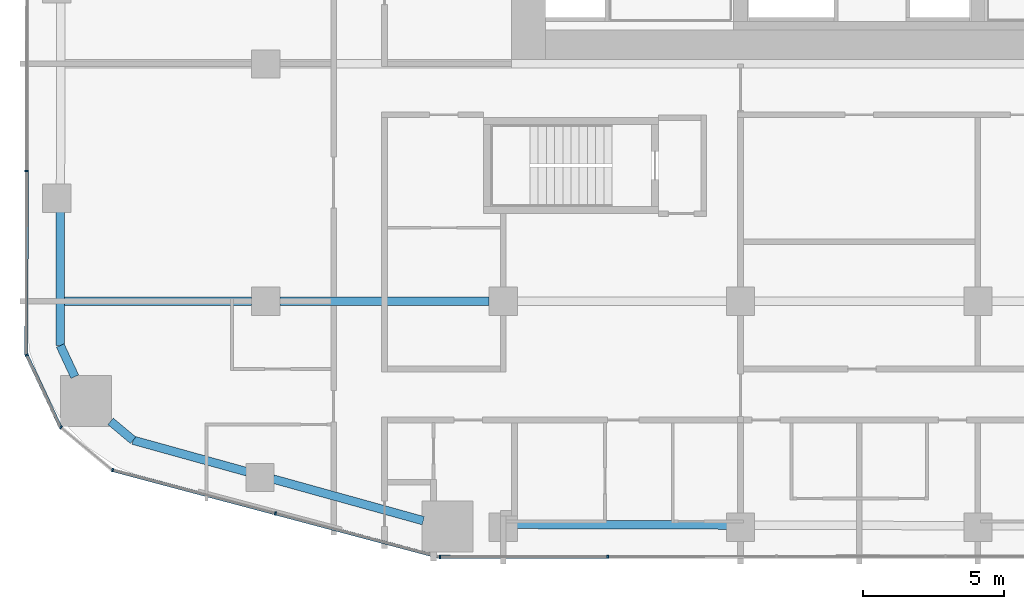
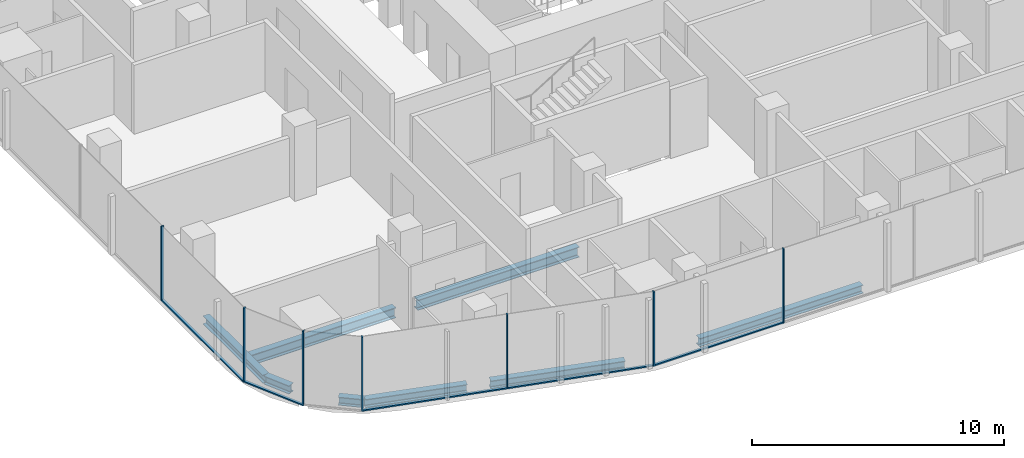
# One storey, part 2 of 26: 12 members, 8 beams, 5 elements without a shape of their own.
"""IFC4 building model written with IfcOpenShell, lengths in metres."""

from ifc_helpers import new_model, si_unit, direction, frame, origin, origin_2d, place, context, subcontext, project, spatial, rectangle, i_section, extrude, material, layer, layer_set, material_profile, profile_set, type_object, element, aggregate, save


model = new_model("IFC4")

# Units and contexts
model_context = context("Model", 3, precision=1e-05, world=origin(), true_north=direction((0.0, 1.0)))
body_context = subcontext(model_context, "Body", "Model", "MODEL_VIEW")
ifc_project = project(units=[si_unit("LENGTHUNIT", "METRE"), si_unit("AREAUNIT", "SQUARE_METRE"), si_unit("VOLUMEUNIT", "CUBIC_METRE"), si_unit("PLANEANGLEUNIT", "RADIAN"), si_unit("MASSUNIT", "GRAM", prefix="KILO")], contexts=[model_context])

# Site, building, storey
site_placement = place(None, origin())
site = spatial("IfcSite", under=ifc_project, at=site_placement, CompositionType="ELEMENT")
building_placement = place(site_placement, origin())
building = spatial("IfcBuilding", under=site, at=building_placement, Name="Marenta Gate Hotel Tower", CompositionType="ELEMENT")
storey_placement = place(building_placement, frame((0.0, 0.0, 79.699951171875)))
storey = spatial("IfcBuildingStorey", under=building, at=storey_placement, Name="L18", CompositionType="ELEMENT", Elevation=79.699951171875)

# Beams
ifc_material_1 = material(Name="Steel S355", Category="steel")
ifc_material_profile_1 = material_profile(ifc_material_1, i_section(OverallWidth=0.300048828125, OverallDepth=0.39990234375, WebThickness=0.013427734375, FlangeThickness=0.02392578125, FilletRadius=0.027099609375, at=origin_2d()), Name="HEB 400")
ifc_profile_set_1 = profile_set([ifc_material_profile_1], Name="Steel S355")
beam_type_1 = type_object("IfcBeamType", Name="Edge beam HEB 400", PredefinedType="SPANDREL", material=ifc_profile_set_1)
beam_1_placement = place(storey_placement, frame((-15.427734375, -16.166748046875, -0.4599609375), z_axis=(-0.963623684238, 0.267262782998, 0.0), x_axis=(-0.267262782998, -0.963623684238, 0.0)))
element("IfcBeam", 1, at=beam_1_placement, inside=storey, type_object=beam_type_1, Name="L18-EB-1", PredefinedType="SPANDREL", context=body_context, shape_type="SweptSolid", body=[
    extrude(i_section(OverallWidth=0.300048828125, OverallDepth=0.39990234375, WebThickness=0.013427734375, FlangeThickness=0.02392578125, FilletRadius=0.027099609375, at=origin_2d()), origin(), (0.0, 0.0, 1.0), 5.518310546875),
])
beam_2_placement = place(storey_placement, frame((-21.668212890625, -14.43603515625, -0.4599609375), z_axis=(-0.963617403201, 0.267285428426, 0.0), x_axis=(-0.267285428426, -0.963617403201, 0.0)))
element("IfcBeam", 2, at=beam_2_placement, inside=storey, type_object=beam_type_1, Name="L18-EB-2", PredefinedType="SPANDREL", context=body_context, shape_type="SweptSolid", body=[
    extrude(i_section(OverallWidth=0.300048828125, OverallDepth=0.39990234375, WebThickness=0.013427734375, FlangeThickness=0.02392578125, FilletRadius=0.027099609375, at=origin_2d()), origin(), (0.0, 0.0, 1.0), 4.1806640625),
])
beam_3_placement = place(storey_placement, frame((-25.69677734375, -13.318603515625, -0.4599609375), z_axis=(-0.767179911534, 0.641431978731, 0.0), x_axis=(-0.641431978731, -0.767179911534, 0.0)))
element("IfcBeam", 3, at=beam_3_placement, inside=storey, type_object=beam_type_1, Name="L18-EB-3", PredefinedType="SPANDREL", context=body_context, shape_type="SweptSolid", body=[
    extrude(i_section(OverallWidth=0.300048828125, OverallDepth=0.39990234375, WebThickness=0.013427734375, FlangeThickness=0.02392578125, FilletRadius=0.027099609375, at=origin_2d()), origin(), (0.0, 0.0, 1.0), 1.038818359375),
])
beam_4_placement = place(storey_placement, frame((-27.76025390625, -11.0693359375, -0.4599609375), z_axis=(-0.423291965192, 0.905993329006, 0.0), x_axis=(-0.905993329006, -0.423291965192, 0.0)))
element("IfcBeam", 4, at=beam_4_placement, inside=storey, type_object=beam_type_1, Name="L18-EB-4", PredefinedType="SPANDREL", context=body_context, shape_type="SweptSolid", body=[
    extrude(i_section(OverallWidth=0.300048828125, OverallDepth=0.39990234375, WebThickness=0.013427734375, FlangeThickness=0.02392578125, FilletRadius=0.027099609375, at=origin_2d()), origin(), (0.0, 0.0, 1.0), 1.21630859375),
])
beam_5_placement = place(storey_placement, frame((-28.275146484375, -9.96728515625, -0.4599609375), z_axis=(0.001386177947, 0.999999039255, 0.0), x_axis=(-0.999999039255, 0.001386177947, 0.0)))
element("IfcBeam", 5, at=beam_5_placement, inside=storey, type_object=beam_type_1, Name="L18-EB-5", PredefinedType="SPANDREL", context=body_context, shape_type="SweptSolid", body=[
    extrude(i_section(OverallWidth=0.300048828125, OverallDepth=0.39990234375, WebThickness=0.013427734375, FlangeThickness=0.02392578125, FilletRadius=0.027099609375, at=origin_2d()), origin(), (0.0, 0.0, 1.0), 4.75537109375),
])
beam_6_placement = place(storey_placement, frame((-4.659912109375, -16.31982421875, -0.4599609375), z_axis=(-0.999996151562, 0.002774321851, 0.0), x_axis=(-0.002774321851, -0.999996151562, 0.0)))
element("IfcBeam", 6, at=beam_6_placement, inside=storey, type_object=beam_type_1, Name="L18-EB-34", PredefinedType="SPANDREL", context=body_context, shape_type="SweptSolid", body=[
    extrude(i_section(OverallWidth=0.300048828125, OverallDepth=0.39990234375, WebThickness=0.013427734375, FlangeThickness=0.02392578125, FilletRadius=0.027099609375, at=origin_2d()), origin(), (0.0, 0.0, 1.0), 7.47998046875),
])
ifc_material_2 = material(Name="Steel S355", Category="steel")
ifc_material_profile_2 = material_profile(ifc_material_2, i_section(OverallWidth=0.300048828125, OverallDepth=0.5, WebThickness=0.014404296875, FlangeThickness=0.028076171875, FilletRadius=0.027099609375, at=origin_2d()), Name="HEB 500")
ifc_profile_set_2 = profile_set([ifc_material_profile_2], Name="Steel S355")
beam_type_2 = type_object("IfcBeamType", Name="Girder HEB 500", PredefinedType="BEAM", material=ifc_profile_set_2)
beam_7_placement = place(storey_placement, frame((-28.123046875, -8.39990234375, -0.510009765625), z_axis=(1.0, 0.0, 0.0), x_axis=(0.0, 1.0, 0.0)))
element("IfcBeam", 7, at=beam_7_placement, inside=storey, type_object=beam_type_2, Name="L18-GD-1", PredefinedType="BEAM", context=body_context, shape_type="SweptSolid", body=[
    extrude(i_section(OverallWidth=0.300048828125, OverallDepth=0.5, WebThickness=0.014404296875, FlangeThickness=0.028076171875, FilletRadius=0.027099609375, at=origin_2d()), origin(), (0.0, 0.0, 1.0), 6.623046875),
])
beam_8_placement = place(storey_placement, frame((-20.5, -8.39990234375, -0.510009765625), z_axis=(1.0, 0.0, 0.0), x_axis=(0.0, 1.0, 0.0)))
element("IfcBeam", 8, at=beam_8_placement, inside=storey, type_object=beam_type_2, Name="L18-GD-2", PredefinedType="BEAM", context=body_context, shape_type="SweptSolid", body=[
    extrude(i_section(OverallWidth=0.300048828125, OverallDepth=0.5, WebThickness=0.014404296875, FlangeThickness=0.028076171875, FilletRadius=0.027099609375, at=origin_2d()), origin(), (0.0, 0.0, 1.0), 7.39990234375),
])

# Curtain wall, member
ifc_material_3 = material(Name="Tinted insulated glass in bronze anodised frame", Category="glass")
ifc_layer = layer(ifc_material_3, 0.1201171875)
ifc_layer_set = layer_set([ifc_layer], Name="Tinted insulated glass in bronze anodised frame")
curtain_wall_type = type_object("IfcCurtainWallType", Name="Tower unitised curtain wall CW1", PredefinedType="NOTDEFINED", material=ifc_layer_set)
curtain_wall_1_placement = place(storey_placement, origin())
curtain_wall_1 = element("IfcCurtainWall", 9, at=curtain_wall_1_placement, inside=storey, type_object=curtain_wall_type, Name="CW1 run G03", PredefinedType="NOTDEFINED")
ifc_material_4 = material(Name="Bronze anodised aluminium", Category="aluminium")
ifc_material_profile_3 = material_profile(ifc_material_4, rectangle(XDim=0.1201171875, YDim=0.06005859375, at=origin_2d()), Name="Mullion CW1 60x120 bronze anodised aluminium")
ifc_profile_set_3 = profile_set([ifc_material_profile_3], Name="Bronze anodised aluminium")
member_type_1 = type_object("IfcMemberType", Name="Mullion CW1 60x120 bronze anodised aluminium", PredefinedType="MULLION", material=ifc_profile_set_3)
member_1_placement = place(storey_placement, frame((-29.463134765625, -3.78564453125, 0.0), z_axis=(0.0, 0.0, 1.0), x_axis=(0.99999877316, -0.00156642217, 0.0)))
member_1 = element("IfcMember", 10, at=member_1_placement, type_object=member_type_1, Name="CW1 mullion 6", PredefinedType="MULLION", context=body_context, shape_type="SweptSolid", body=[
    extrude(rectangle(XDim=0.1201171875, YDim=0.06005859375, at=origin_2d()), origin(), (0.0, 0.0, 1.0), 3.60009765625),
])

curtain_wall_2_placement = place(storey_placement, origin())
curtain_wall_2 = element("IfcCurtainWall", 11, at=curtain_wall_2_placement, inside=storey, type_object=curtain_wall_type, Name="CW1 run G04", PredefinedType="NOTDEFINED")
member_2_placement = place(storey_placement, frame((-29.460693359375, -10.30322265625, 0.0), z_axis=(0.0, 0.0, 1.0), x_axis=(0.905970129167, 0.423341617441, 0.0)))
member_2 = element("IfcMember", 12, at=member_2_placement, type_object=member_type_1, Name="CW1 mullion 1", PredefinedType="MULLION", context=body_context, shape_type="SweptSolid", body=[
    extrude(rectangle(XDim=0.1201171875, YDim=0.06005859375, at=origin_2d()), origin(), (0.0, 0.0, 1.0), 3.60009765625),
])

curtain_wall_3_placement = place(storey_placement, origin())
curtain_wall_3 = element("IfcCurtainWall", 13, at=curtain_wall_3_placement, inside=storey, type_object=curtain_wall_type, Name="CW1 run G05", PredefinedType="NOTDEFINED")
member_3_placement = place(storey_placement, frame((-28.25146484375, -12.86083984375, 0.0), z_axis=(0.0, 0.0, 1.0), x_axis=(0.641511984407, 0.767113012445, 0.0)))
member_3 = element("IfcMember", 14, at=member_3_placement, type_object=member_type_1, Name="CW1 mullion 1", PredefinedType="MULLION", context=body_context, shape_type="SweptSolid", body=[
    extrude(rectangle(XDim=0.1201171875, YDim=0.06005859375, at=origin_2d()), origin(), (0.0, 0.0, 1.0), 3.60009765625),
])
aggregate(curtain_wall_3, [member_3])

# Curtain wall, members
curtain_wall_4_placement = place(storey_placement, origin())
curtain_wall_4 = element("IfcCurtainWall", 15, at=curtain_wall_4_placement, inside=storey, type_object=curtain_wall_type, Name="CW1 run G06", PredefinedType="NOTDEFINED")
member_4_placement = place(storey_placement, frame((-26.42236328125, -14.3740234375, 0.0), z_axis=(0.0, 0.0, 1.0), x_axis=(0.257141675823, 0.966373715782, 0.0)))
member_4 = element("IfcMember", 16, at=member_4_placement, type_object=member_type_1, Name="CW1 mullion 1", PredefinedType="MULLION", context=body_context, shape_type="SweptSolid", body=[
    extrude(rectangle(XDim=0.1201171875, YDim=0.06005859375, at=origin_2d()), origin(), (0.0, 0.0, 1.0), 3.60009765625),
])
member_5_placement = place(storey_placement, frame((-20.660888671875, -15.906982421875, 0.0), z_axis=(0.0, 0.0, 1.0), x_axis=(0.257141675823, 0.966373715782, 0.0)))
member_5 = element("IfcMember", 17, at=member_5_placement, type_object=member_type_1, Name="CW1 mullion 2", PredefinedType="MULLION", context=body_context, shape_type="SweptSolid", body=[
    extrude(rectangle(XDim=0.1201171875, YDim=0.06005859375, at=origin_2d()), origin(), (0.0, 0.0, 1.0), 3.60009765625),
])

curtain_wall_5_placement = place(storey_placement, origin())
curtain_wall_5 = element("IfcCurtainWall", 18, at=curtain_wall_5_placement, inside=storey, type_object=curtain_wall_type, Name="CW1 run G07", PredefinedType="NOTDEFINED")
member_6_placement = place(storey_placement, frame((-14.840576171875, -17.44775390625, 0.0), z_axis=(0.0, 0.0, 1.0), x_axis=(-0.001161921639, 0.999999324969, 0.0)))
member_6 = element("IfcMember", 19, at=member_6_placement, type_object=member_type_1, Name="CW1 mullion 1", PredefinedType="MULLION", context=body_context, shape_type="SweptSolid", body=[
    extrude(rectangle(XDim=0.1201171875, YDim=0.06005859375, at=origin_2d()), origin(), (0.0, 0.0, 1.0), 3.60009765625),
])
member_7_placement = place(storey_placement, frame((-8.897705078125, -17.44091796875, 0.0), z_axis=(0.0, 0.0, 1.0), x_axis=(-0.001161921639, 0.999999324969, 0.0)))
member_7 = element("IfcMember", 20, at=member_7_placement, type_object=member_type_1, Name="CW1 mullion 2", PredefinedType="MULLION", context=body_context, shape_type="SweptSolid", body=[
    extrude(rectangle(XDim=0.1201171875, YDim=0.06005859375, at=origin_2d()), origin(), (0.0, 0.0, 1.0), 3.60009765625),
])

# Member
ifc_material_5 = material(Name="Bronze anodised aluminium", Category="aluminium")
ifc_material_profile_4 = material_profile(ifc_material_5, rectangle(XDim=0.1201171875, YDim=0.06005859375, at=origin_2d()), Name="Transom CW1 60x120 bronze anodised aluminium")
ifc_profile_set_4 = profile_set([ifc_material_profile_4], Name="Bronze anodised aluminium")
member_type_2 = type_object("IfcMemberType", Name="Transom CW1 60x120 bronze anodised aluminium", PredefinedType="USERDEFINED", material=ifc_profile_set_4)
member_8_placement = place(storey_placement, frame((-29.463134765625, -3.815673828125, 0.030029296875), z_axis=(-0.001587239601, -0.999998740334, 0.0), x_axis=(0.999998740334, -0.001587239601, 0.0)))
member_8 = element("IfcMember", 21, at=member_8_placement, type_object=member_type_2, Name="CW1 transom 6.1", ObjectType="TRANSOM", PredefinedType="USERDEFINED", context=body_context, shape_type="SweptSolid", body=[
    extrude(rectangle(XDim=0.1201171875, YDim=0.06005859375, at=origin_2d()), origin(), (0.0, 0.0, 1.0), 6.460205078125),
])

aggregate(curtain_wall_1, [member_1, member_8])

member_9_placement = place(storey_placement, frame((-29.447998046875, -10.330322265625, 0.030029296875), z_axis=(0.423348255175, -0.905967027457, 0.0), x_axis=(0.905967027457, 0.423348255175, 0.0)))
member_9 = element("IfcMember", 22, at=member_9_placement, type_object=member_type_2, Name="CW1 transom 1.1", ObjectType="TRANSOM", PredefinedType="USERDEFINED", context=body_context, shape_type="SweptSolid", body=[
    extrude(rectangle(XDim=0.1201171875, YDim=0.06005859375, at=origin_2d()), origin(), (0.0, 0.0, 1.0), 2.772216796875),
])

aggregate(curtain_wall_2, [member_2, member_9])

member_10_placement = place(storey_placement, frame((-26.393310546875, -14.3818359375, 0.030029296875), z_axis=(0.966374861095, -0.257137371541, 0.0), x_axis=(0.257137371541, 0.966374861095, 0.0)))
member_10 = element("IfcMember", 23, at=member_10_placement, type_object=member_type_2, Name="CW1 transom 1.1", ObjectType="TRANSOM", PredefinedType="USERDEFINED", context=body_context, shape_type="SweptSolid", body=[
    extrude(rectangle(XDim=0.1201171875, YDim=0.06005859375, at=origin_2d()), origin(), (0.0, 0.0, 1.0), 5.90185546875),
])

member_11_placement = place(storey_placement, frame((-20.632080078125, -15.914794921875, 0.030029296875), z_axis=(0.966378199773, -0.25712482378, 0.0), x_axis=(0.25712482378, 0.966378199773, 0.0)))
member_11 = element("IfcMember", 24, at=member_11_placement, type_object=member_type_2, Name="CW1 transom 2.1", ObjectType="TRANSOM", PredefinedType="USERDEFINED", context=body_context, shape_type="SweptSolid", body=[
    extrude(rectangle(XDim=0.1201171875, YDim=0.06005859375, at=origin_2d()), origin(), (0.0, 0.0, 1.0), 5.9619140625),
])

aggregate(curtain_wall_4, [member_4, member_5, member_10, member_11])

member_12_placement = place(storey_placement, frame((-14.810546875, -17.44775390625, 0.030029296875), z_axis=(0.999999324857, 0.001162017808, 0.0), x_axis=(-0.001162017808, 0.999999324857, 0.0)))
member_12 = element("IfcMember", 25, at=member_12_placement, type_object=member_type_2, Name="CW1 transom 1.1", ObjectType="TRANSOM", PredefinedType="USERDEFINED", context=body_context, shape_type="SweptSolid", body=[
    extrude(rectangle(XDim=0.1201171875, YDim=0.06005859375, at=origin_2d()), origin(), (0.0, 0.0, 1.0), 5.8828125),
])

aggregate(curtain_wall_5, [member_6, member_7, member_12])

save(model, "model.ifc")
